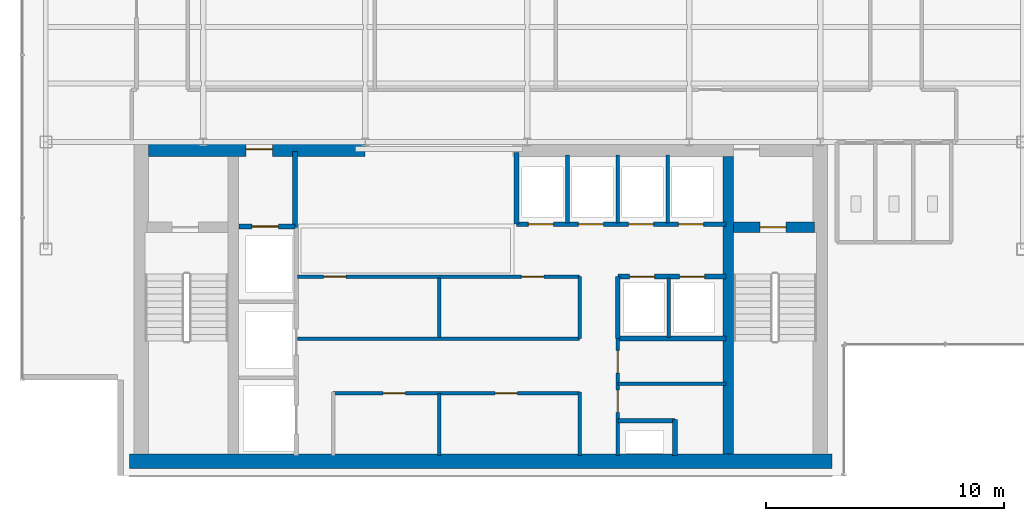
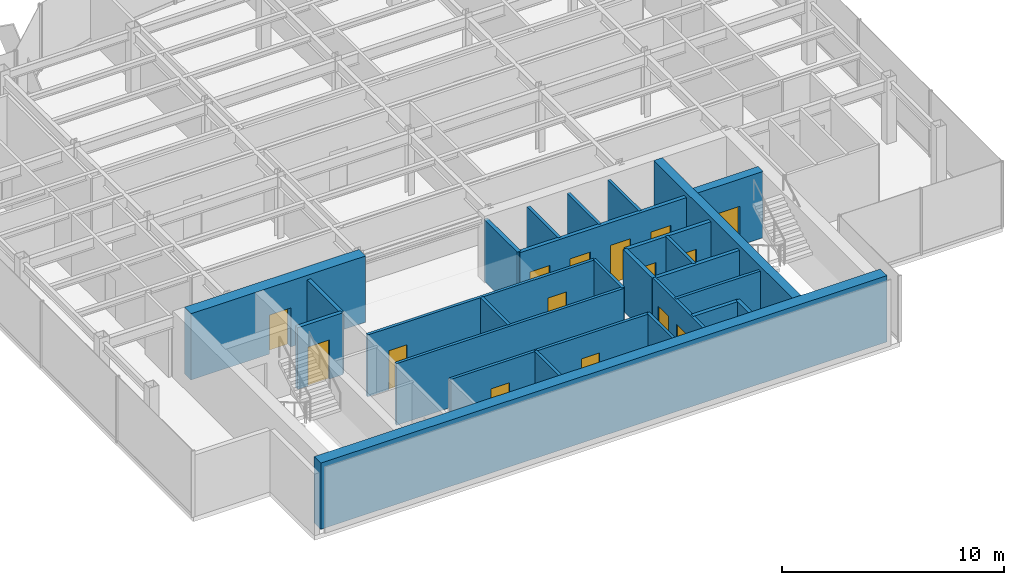
# One storey, part 17 of 22: 26 walls, 15 doors, 15 openings.
"""IFC4 building model written with IfcOpenShell, lengths in metres."""

from ifc_helpers import new_model, si_unit, derived_unit, direction, frame, frame_2d, origin, place, context, subcontext, project, spatial, rectangle, extrude, source, transform, mapped, material, layer, layer_set, type_object, element, fill, save


model = new_model("IFC4")

# Units and contexts
model_context = context("Model", 3, precision=1e-05, world=origin(), true_north=direction((0.0, 1.0)))
body_context = subcontext(model_context, "Body", "Model", "MODEL_VIEW")
ifc_project = project(units=[si_unit("LENGTHUNIT", "METRE"), si_unit("AREAUNIT", "SQUARE_METRE"), si_unit("VOLUMEUNIT", "CUBIC_METRE"), si_unit("PLANEANGLEUNIT", "RADIAN"), si_unit("MASSUNIT", "GRAM", prefix="KILO"), derived_unit("THERMALTRANSMITTANCEUNIT", [(si_unit("POWERUNIT", "WATT"), 1), (si_unit("LENGTHUNIT", "METRE"), -2), (si_unit("THERMODYNAMICTEMPERATUREUNIT", "KELVIN"), -1)])], contexts=[model_context])

# Site, building, storey
site_placement = place(None, origin())
site = spatial("IfcSite", under=ifc_project, at=site_placement, CompositionType="ELEMENT")
building_placement = place(site_placement, origin())
building = spatial("IfcBuilding", under=site, at=building_placement, Name="Skarnbrae Concourse Arena and Tower", CompositionType="ELEMENT")
storey_placement = place(building_placement, frame((0.0, 0.0, 251.5)))
storey = spatial("IfcBuildingStorey", under=building, at=storey_placement, Name="L65", CompositionType="ELEMENT", Elevation=251.5)

# Wall, opening, door
ifc_material_1 = material(Name="Concrete 50 MPa (C50/60)", Category="concrete")
ifc_layer_1 = layer(ifc_material_1, 0.449951171875)
ifc_layer_set_1 = layer_set([ifc_layer_1], Name="Concrete 50 MPa (C50/60)")
wall_type_1 = type_object("IfcWallType", Name="WALL-CORE-450-C50", PredefinedType="SHEAR", material=ifc_layer_set_1)
shared_shape_1 = source(origin(), body_context, "Body", "SweptSolid", [
    extrude(rectangle(XDim=3.389892578125, YDim=0.449951171875, at=frame_2d((1.69482421875, 0.0))), origin(), (0.0, 0.0, 1.0), 3.64990234375),
])
wall_1_placement = place(storey_placement, frame((29.860107421875, 10.419921875, 0.0), z_axis=(0.0, 0.0, 1.0), x_axis=(1.0, 0.0, 0.0)))
wall_1 = element("IfcWall", 1, at=wall_1_placement, inside=storey, type_object=wall_type_1, Name="L65 Rear core shear wall CW-ST2-N", PredefinedType="SHEAR", context=body_context, shape_type="MappedRepresentation", body=[
    mapped(shared_shape_1, transform((0.0, 0.0, 0.0))),
])
opening_1_placement = place(wall_1_placement, frame((1.10009765625, 0.0, 0.0)))
opening_1 = element("IfcOpeningElement", 2, at=opening_1_placement, cuts=wall_1, Name="Opening DT-03", PredefinedType="OPENING", context=body_context, shape_type="SweptSolid", body=[
    extrude(rectangle(XDim=1.10009765625, YDim=2.14990234375, at=frame_2d((0.550048828125, 1.074951171875))), frame((0.0, 0.23486328125, 0.0), z_axis=(0.0, -1.0, 0.0), x_axis=(1.0, 0.0, 0.0)), (0.0, 0.0, 1.0), 0.469970703125),
])
ifc_material_2 = material(Name="Steel CSA G40.21 350W", Category="steel")
door_type_1 = type_object("IfcDoorType", Name="DOOR-FIRE-1100-90M", OperationType="NOTDEFINED", PredefinedType="DOOR", material=ifc_material_2)
shared_shape_2 = source(origin(), body_context, "Body", "SweptSolid", [
    extrude(rectangle(XDim=1.10009765625, YDim=2.14990234375, at=frame_2d((0.550048828125, 1.074951171875))), frame((0.0, 0.02490234375, 0.0), z_axis=(0.0, -1.0, 0.0), x_axis=(1.0, 0.0, 0.0)), (0.0, 0.0, 1.0), 0.050048828125),
])
door_1_placement = place(opening_1_placement, frame((1.10009765625, 0.0, 0.0), z_axis=(0.0, 0.0, 1.0), x_axis=(-1.0, 0.0, 0.0)))
door_1 = element("IfcDoor", 3, at=door_1_placement, inside=storey, type_object=door_type_1, Name="D-1954 Stair ST-2 Door", OperationType="SINGLE_SWING_RIGHT", OverallHeight=2.14990234375, OverallWidth=1.10009765625, PredefinedType="DOOR", context=body_context, shape_type="MappedRepresentation", body=[
    mapped(shared_shape_2, transform((0.0, 0.0, 0.0))),
])
fill(opening_1, door_1)

# Wall
ifc_layer_2 = layer(ifc_material_1, 0.60009765625)
ifc_layer_set_2 = layer_set([ifc_layer_2], Name="Concrete 50 MPa (C50/60)")
wall_type_2 = type_object("IfcWallType", Name="WALL-CORE-600-C50", PredefinedType="SHEAR", material=ifc_layer_set_2)
shared_shape_3 = source(origin(), body_context, "Body", "SweptSolid", [
    extrude(rectangle(XDim=29.5, YDim=0.60009765625, at=frame_2d((14.75, 0.0))), origin(), (0.0, 0.0, 1.0), 3.64990234375),
])
wall_2_placement = place(storey_placement, frame((4.5, 0.60009765625, 0.0), z_axis=(0.0, 0.0, 1.0), x_axis=(1.0, 0.0, 0.0)))
element("IfcWall", 4, at=wall_2_placement, inside=storey, type_object=wall_type_2, Name="L65 Rear core shear wall CW-S", PredefinedType="SHEAR", context=body_context, shape_type="MappedRepresentation", body=[
    mapped(shared_shape_3, transform((0.0, 0.0, 0.0))),
])

# Wall, opening, door
shared_shape_4 = source(origin(), body_context, "Body", "SweptSolid", [
    extrude(rectangle(XDim=9.099853515625, YDim=0.60009765625, at=frame_2d((4.5498046875, 0.0))), origin(), (0.0, 0.0, 1.0), 3.64990234375),
])
wall_3_placement = place(storey_placement, frame((5.300048828125, 13.699951171875, 0.0), z_axis=(0.0, 0.0, 1.0), x_axis=(1.0, 0.0, 0.0)))
wall_3 = element("IfcWall", 5, at=wall_3_placement, inside=storey, type_object=wall_type_2, Name="L65 Rear core shear wall CW-NW", PredefinedType="SHEAR", context=body_context, shape_type="MappedRepresentation", body=[
    mapped(shared_shape_4, transform((0.0, 0.0, 0.0))),
])
opening_2_placement = place(wall_3_placement, frame((4.10009765625, 0.0, 0.0)))
opening_2 = element("IfcOpeningElement", 6, at=opening_2_placement, cuts=wall_3, Name="Opening DT-03", PredefinedType="OPENING", context=body_context, shape_type="SweptSolid", body=[
    extrude(rectangle(XDim=1.10009765625, YDim=2.14990234375, at=frame_2d((0.550048828125, 1.074951171875))), frame((0.0, 0.31005859375, 0.0), z_axis=(0.0, -1.0, 0.0), x_axis=(1.0, 0.0, 0.0)), (0.0, 0.0, 1.0), 0.6201171875),
])
door_2_placement = place(opening_2_placement, origin())
door_2 = element("IfcDoor", 7, at=door_2_placement, inside=storey, type_object=door_type_1, Name="D-1955 Firefighting Lobby Exit Door", OperationType="SINGLE_SWING_RIGHT", OverallHeight=2.14990234375, OverallWidth=1.10009765625, PredefinedType="DOOR", context=body_context, shape_type="MappedRepresentation", body=[
    mapped(shared_shape_2, transform((0.0, 0.0, 0.0))),
])
fill(opening_2, door_2)

# Walls
shared_shape_5 = source(origin(), body_context, "Body", "SweptSolid", [
    extrude(rectangle(XDim=12.5, YDim=0.449951171875, at=frame_2d((6.25, 0.0))), origin(), (0.0, 0.0, 1.0), 3.64990234375),
])
wall_4_placement = place(storey_placement, frame((29.635009765625, 0.89990234375, 0.0), z_axis=(0.0, 0.0, 1.0), x_axis=(0.0, 1.0, 0.0)))
element("IfcWall", 8, at=wall_4_placement, inside=storey, type_object=wall_type_1, Name="L65 Rear core shear wall CW-WEB-E", PredefinedType="SHEAR", context=body_context, shape_type="MappedRepresentation", body=[
    mapped(shared_shape_5, transform((0.0, 0.0, 0.0))),
])
ifc_material_3 = material(Name="Gypsum board on cold-formed steel studs", Category="steel")
ifc_layer_3 = layer(ifc_material_3, 0.199951171875)
ifc_layer_set_3 = layer_set([ifc_layer_3], Name="Gypsum board on cold-formed steel studs")
wall_type_3 = type_object("IfcWallType", Name="WALL-PART-200-2HR", PredefinedType="PARTITIONING", material=ifc_layer_set_3)
shared_shape_6 = source(origin(), body_context, "Body", "SweptSolid", [
    extrude(rectangle(XDim=3.18017578125, YDim=0.199951171875, at=frame_2d((1.590087890625, 0.0))), origin(), (0.0, 0.0, 1.0), 3.39990234375),
])
wall_5_placement = place(storey_placement, frame((11.449951171875, 10.419921875, 0.0), z_axis=(0.0, 0.0, 1.0), x_axis=(0.0, 1.0, 0.0)))
element("IfcWall", 9, at=wall_5_placement, inside=storey, type_object=wall_type_3, Name="L65 Interior partition wall W-L65-FFL-E", PredefinedType="PARTITIONING", context=body_context, shape_type="MappedRepresentation", body=[
    mapped(shared_shape_6, transform((0.0, 0.0, 0.0))),
])

# Wall, opening, door
shared_shape_7 = source(origin(), body_context, "Body", "SweptSolid", [
    extrude(rectangle(XDim=2.349853515625, YDim=0.199951171875, at=frame_2d((1.1748046875, 0.0))), origin(), (0.0, 0.0, 1.0), 3.39990234375),
])
wall_6_placement = place(storey_placement, frame((9.10009765625, 10.449951171875, 0.0), z_axis=(0.0, 0.0, 1.0), x_axis=(1.0, 0.0, 0.0)))
wall_6 = element("IfcWall", 10, at=wall_6_placement, inside=storey, type_object=wall_type_3, Name="L65 Interior partition wall W-L65-FL1-N", PredefinedType="PARTITIONING", context=body_context, shape_type="MappedRepresentation", body=[
    mapped(shared_shape_7, transform((0.0, 0.0, 0.0))),
])
opening_3_placement = place(wall_6_placement, frame((0.550048828125, 0.0, 0.0)))
opening_3 = element("IfcOpeningElement", 11, at=opening_3_placement, cuts=wall_6, Name="Opening LD-01", PredefinedType="OPENING", context=body_context, shape_type="SweptSolid", body=[
    extrude(rectangle(XDim=1.10009765625, YDim=2.14990234375, at=frame_2d((0.550048828125, 1.074951171875))), frame((0.0, 0.10986328125, 0.0), z_axis=(0.0, -1.0, 0.0), x_axis=(1.0, 0.0, 0.0)), (0.0, 0.0, 1.0), 0.219970703125),
])
door_type_2 = type_object("IfcDoorType", Name="DOOR-LIFT-SLIDE-1100", OperationType="SLIDING_TO_LEFT", PredefinedType="DOOR", material=ifc_material_2)
door_3_placement = place(opening_3_placement, origin())
door_3 = element("IfcDoor", 12, at=door_3_placement, inside=storey, type_object=door_type_2, Name="D-1957 Firefighting Lift Landing Door FL-01", OperationType="SLIDING_TO_LEFT", OverallHeight=2.14990234375, OverallWidth=1.10009765625, PredefinedType="DOOR", context=body_context, shape_type="MappedRepresentation", body=[
    mapped(shared_shape_2, transform((0.0, 0.0, 0.0))),
])
fill(opening_3, door_3)

# Walls
ifc_layer_4 = layer(ifc_material_3, 0.14990234375)
ifc_layer_set_4 = layer_set([ifc_layer_4], Name="Gypsum board on cold-formed steel studs")
wall_type_4 = type_object("IfcWallType", Name="WALL-PART-150", PredefinedType="PARTITIONING", material=ifc_layer_set_4)
shared_shape_8 = source(origin(), body_context, "Body", "SweptSolid", [
    extrude(rectangle(XDim=2.599853515625, YDim=0.14990234375, at=frame_2d((1.2998046875, 0.0))), origin(), (0.0, 0.0, 1.0), 3.39990234375),
])
wall_7_placement = place(storey_placement, frame((17.5, 0.85009765625, 0.0), z_axis=(0.0, 0.0, 1.0), x_axis=(0.0, 1.0, 0.0)))
element("IfcWall", 13, at=wall_7_placement, inside=storey, type_object=wall_type_4, Name="L65 Interior partition wall W-L65-B1M-C1", PredefinedType="PARTITIONING", context=body_context, shape_type="MappedRepresentation", body=[
    mapped(shared_shape_8, transform((0.0, 0.0, 0.0))),
])
shared_shape_9 = source(origin(), body_context, "Body", "SweptSolid", [
    extrude(rectangle(XDim=2.60009765625, YDim=0.199951171875, at=frame_2d((1.300048828125, 0.0))), origin(), (0.0, 0.0, 1.0), 3.39990234375),
])
wall_8_placement = place(storey_placement, frame((25.0, 5.75, 0.0), z_axis=(0.0, 0.0, 1.0), x_axis=(0.0, 1.0, 0.0)))
element("IfcWall", 14, at=wall_8_placement, inside=storey, type_object=wall_type_3, Name="L65 Interior partition wall W-L65-B3S-W", PredefinedType="PARTITIONING", context=body_context, shape_type="MappedRepresentation", body=[
    mapped(shared_shape_9, transform((0.0, 0.0, 0.0))),
])
shared_shape_10 = source(origin(), body_context, "Body", "SweptSolid", [
    extrude(rectangle(XDim=2.5, YDim=0.14990234375, at=frame_2d((1.25, 0.0))), origin(), (0.0, 0.0, 1.0), 3.39990234375),
])
for number, where, z_axis, x_axis, name in (
    (15, (17.5, 5.800048828125, 0.0), (0.0, 0.0, 1.0), (0.0, 1.0, 0.0), "L65 Interior partition wall W-L65-B2M-MID"),
    (16, (27.139892578125, 5.800048828125, 0.0), (0.0, 0.0, 1.0), (0.0, 1.0, 0.0), "L65 Interior partition wall W-L65-B3S-P1"),
):
    element("IfcWall", number, at=place(storey_placement, frame(where, z_axis=z_axis, x_axis=x_axis)), inside=storey, type_object=wall_type_4, Name=name, PredefinedType="PARTITIONING", context=body_context, shape_type="MappedRepresentation", body=[
        mapped(shared_shape_10, transform((0.0, 0.0, 0.0))),
    ])

# Wall, openings, doors
shared_shape_11 = source(origin(), body_context, "Body", "SweptSolid", [
    extrude(rectangle(XDim=8.800048828125, YDim=0.199951171875, at=frame_2d((4.39990234375, 0.0))), origin(), (0.0, 0.0, 1.0), 3.39990234375),
])
wall_9_placement = place(storey_placement, frame((20.75, 10.550048828125, 0.0), z_axis=(0.0, 0.0, 1.0), x_axis=(1.0, 0.0, 0.0)))
wall_9 = element("IfcWall", 17, at=wall_9_placement, inside=storey, type_object=wall_type_3, Name="L65 Interior partition wall W-L65-B3N-S", PredefinedType="PARTITIONING", context=body_context, shape_type="MappedRepresentation", body=[
    mapped(shared_shape_11, transform((0.0, 0.0, 0.0))),
])
opening_4_placement = place(wall_9_placement, frame((0.5, 0.0, 0.0)))
opening_4 = element("IfcOpeningElement", 18, at=opening_4_placement, cuts=wall_9, Name="Opening LD-04", PredefinedType="OPENING", context=body_context, shape_type="SweptSolid", body=[
    extrude(rectangle(XDim=1.050048828125, YDim=2.14990234375, at=frame_2d((0.52490234375, 1.074951171875))), frame((0.0, 0.10986328125, 0.0), z_axis=(0.0, -1.0, 0.0), x_axis=(1.0, 0.0, 0.0)), (0.0, 0.0, 1.0), 0.219970703125),
])
opening_5_placement = place(wall_9_placement, frame((2.60009765625, 0.0, 0.0)))
opening_5 = element("IfcOpeningElement", 19, at=opening_5_placement, cuts=wall_9, Name="Opening LD-04", PredefinedType="OPENING", context=body_context, shape_type="SweptSolid", body=[
    extrude(rectangle(XDim=1.050048828125, YDim=2.14990234375, at=frame_2d((0.52490234375, 1.074951171875))), frame((0.0, 0.10986328125, 0.0), z_axis=(0.0, -1.0, 0.0), x_axis=(1.0, 0.0, 0.0)), (0.0, 0.0, 1.0), 0.219970703125),
])
opening_6_placement = place(wall_9_placement, frame((4.699951171875, 0.0, 0.0)))
opening_6 = element("IfcOpeningElement", 20, at=opening_6_placement, cuts=wall_9, Name="Opening LD-04", PredefinedType="OPENING", context=body_context, shape_type="SweptSolid", body=[
    extrude(rectangle(XDim=1.050048828125, YDim=2.14990234375, at=frame_2d((0.52490234375, 1.074951171875))), frame((0.0, 0.10986328125, 0.0), z_axis=(0.0, -1.0, 0.0), x_axis=(1.0, 0.0, 0.0)), (0.0, 0.0, 1.0), 0.219970703125),
])
opening_7_placement = place(wall_9_placement, frame((6.800048828125, 0.0, 0.0)))
opening_7 = element("IfcOpeningElement", 21, at=opening_7_placement, cuts=wall_9, Name="Opening LD-04", PredefinedType="OPENING", context=body_context, shape_type="SweptSolid", body=[
    extrude(rectangle(XDim=1.050048828125, YDim=2.14990234375, at=frame_2d((0.52490234375, 1.074951171875))), frame((0.0, 0.10986328125, 0.0), z_axis=(0.0, -1.0, 0.0), x_axis=(1.0, 0.0, 0.0)), (0.0, 0.0, 1.0), 0.219970703125),
])
ifc_material_4 = material(Name="Bronze anodised aluminium 6063-T6", Category="aluminium")
door_type_3 = type_object("IfcDoorType", Name="DOOR-LIFT-SLIDE-1050H", OperationType="SLIDING_TO_LEFT", PredefinedType="DOOR", material=ifc_material_4)
shared_shape_12 = source(origin(), body_context, "Body", "SweptSolid", [
    extrude(rectangle(XDim=1.050048828125, YDim=2.14990234375, at=frame_2d((0.52490234375, 1.074951171875))), frame((0.0, 0.02490234375, 0.0), z_axis=(0.0, -1.0, 0.0), x_axis=(1.0, 0.0, 0.0)), (0.0, 0.0, 1.0), 0.050048828125),
])
door_4_placement = place(opening_4_placement, frame((1.050048828125, 0.0, 0.0), z_axis=(0.0, 0.0, 1.0), x_axis=(-1.0, 0.0, 0.0)))
door_4 = element("IfcDoor", 22, at=door_4_placement, inside=storey, type_object=door_type_3, Name="D-1964 Passenger Lift Landing Door PL-3A", OperationType="SLIDING_TO_LEFT", OverallHeight=2.14990234375, OverallWidth=1.050048828125, PredefinedType="DOOR", context=body_context, shape_type="MappedRepresentation", body=[
    mapped(shared_shape_12, transform((0.0, 0.0, 0.0))),
])
fill(opening_4, door_4)
door_5_placement = place(opening_5_placement, frame((1.050048828125, 0.0, 0.0), z_axis=(0.0, 0.0, 1.0), x_axis=(-1.0, 0.0, 0.0)))
door_5 = element("IfcDoor", 23, at=door_5_placement, inside=storey, type_object=door_type_3, Name="D-1965 Passenger Lift Landing Door PL-3B", OperationType="SLIDING_TO_LEFT", OverallHeight=2.14990234375, OverallWidth=1.050048828125, PredefinedType="DOOR", context=body_context, shape_type="MappedRepresentation", body=[
    mapped(shared_shape_12, transform((0.0, 0.0, 0.0))),
])
fill(opening_5, door_5)
door_6_placement = place(opening_6_placement, frame((1.050048828125, 0.0, 0.0), z_axis=(0.0, 0.0, 1.0), x_axis=(-1.0, 0.0, 0.0)))
door_6 = element("IfcDoor", 24, at=door_6_placement, inside=storey, type_object=door_type_3, Name="D-1966 Passenger Lift Landing Door PL-3C", OperationType="SLIDING_TO_LEFT", OverallHeight=2.14990234375, OverallWidth=1.050048828125, PredefinedType="DOOR", context=body_context, shape_type="MappedRepresentation", body=[
    mapped(shared_shape_12, transform((0.0, 0.0, 0.0))),
])
fill(opening_6, door_6)
door_7_placement = place(opening_7_placement, frame((1.050048828125, 0.0, 0.0), z_axis=(0.0, 0.0, 1.0), x_axis=(-1.0, 0.0, 0.0)))
door_7 = element("IfcDoor", 25, at=door_7_placement, inside=storey, type_object=door_type_3, Name="D-1967 Passenger Lift Landing Door PL-3D", OperationType="SLIDING_TO_LEFT", OverallHeight=2.14990234375, OverallWidth=1.050048828125, PredefinedType="DOOR", context=body_context, shape_type="MappedRepresentation", body=[
    mapped(shared_shape_12, transform((0.0, 0.0, 0.0))),
])
fill(opening_7, door_7)

# Walls
shared_shape_13 = source(origin(), body_context, "Body", "SweptSolid", [
    extrude(rectangle(XDim=3.0, YDim=0.199951171875, at=frame_2d((1.5, 0.0))), origin(), (0.0, 0.0, 1.0), 3.39990234375),
])
wall_10_placement = place(storey_placement, frame((20.75, 10.550048828125, 0.0), z_axis=(0.0, 0.0, 1.0), x_axis=(0.0, 1.0, 0.0)))
element("IfcWall", 26, at=wall_10_placement, inside=storey, type_object=wall_type_3, Name="L65 Interior partition wall W-L65-B3N-W", PredefinedType="PARTITIONING", context=body_context, shape_type="MappedRepresentation", body=[
    mapped(shared_shape_13, transform((0.0, 0.0, 0.0))),
])
shared_shape_14 = source(origin(), body_context, "Body", "SweptSolid", [
    extrude(rectangle(XDim=2.849853515625, YDim=0.14990234375, at=frame_2d((1.4248046875, 0.0))), origin(), (0.0, 0.0, 1.0), 3.39990234375),
])
for number, where, z_axis, x_axis, name in (
    (27, (22.889892578125, 10.60009765625, 0.0), (0.0, 0.0, 1.0), (0.0, 1.0, 0.0), "L65 Interior partition wall W-L65-B3N-P1"),
    (28, (24.989990234375, 10.60009765625, 0.0), (0.0, 0.0, 1.0), (0.0, 1.0, 0.0), "L65 Interior partition wall W-L65-B3N-P2"),
    (29, (27.090087890625, 10.60009765625, 0.0), (0.0, 0.0, 1.0), (0.0, 1.0, 0.0), "L65 Interior partition wall W-L65-B3N-P3"),
):
    element("IfcWall", number, at=place(storey_placement, frame(where, z_axis=z_axis, x_axis=x_axis)), inside=storey, type_object=wall_type_4, Name=name, PredefinedType="PARTITIONING", context=body_context, shape_type="MappedRepresentation", body=[
        mapped(shared_shape_14, transform((0.0, 0.0, 0.0))),
    ])

# Wall, openings, doors
shared_shape_15 = source(origin(), body_context, "Body", "SweptSolid", [
    extrude(rectangle(XDim=4.550048828125, YDim=0.199951171875, at=frame_2d((2.27490234375, 0.0))), origin(), (0.0, 0.0, 1.0), 3.39990234375),
])
wall_11_placement = place(storey_placement, frame((25.0, 8.35009765625, 0.0), z_axis=(0.0, 0.0, 1.0), x_axis=(1.0, 0.0, 0.0)))
wall_11 = element("IfcWall", 30, at=wall_11_placement, inside=storey, type_object=wall_type_3, Name="L65 Interior partition wall W-L65-B3S-N", PredefinedType="PARTITIONING", context=body_context, shape_type="MappedRepresentation", body=[
    mapped(shared_shape_15, transform((0.0, 0.0, 0.0))),
])
opening_8_placement = place(wall_11_placement, frame((0.5, 0.0, 0.0)))
opening_8 = element("IfcOpeningElement", 31, at=opening_8_placement, cuts=wall_11, Name="Opening LD-04", PredefinedType="OPENING", context=body_context, shape_type="SweptSolid", body=[
    extrude(rectangle(XDim=1.050048828125, YDim=2.14990234375, at=frame_2d((0.52490234375, 1.074951171875))), frame((0.0, 0.10986328125, 0.0), z_axis=(0.0, -1.0, 0.0), x_axis=(1.0, 0.0, 0.0)), (0.0, 0.0, 1.0), 0.219970703125),
])
opening_9_placement = place(wall_11_placement, frame((2.60009765625, 0.0, 0.0)))
opening_9 = element("IfcOpeningElement", 32, at=opening_9_placement, cuts=wall_11, Name="Opening LD-04", PredefinedType="OPENING", context=body_context, shape_type="SweptSolid", body=[
    extrude(rectangle(XDim=1.050048828125, YDim=2.14990234375, at=frame_2d((0.52490234375, 1.074951171875))), frame((0.0, 0.10986328125, 0.0), z_axis=(0.0, -1.0, 0.0), x_axis=(1.0, 0.0, 0.0)), (0.0, 0.0, 1.0), 0.219970703125),
])
door_8_placement = place(opening_8_placement, origin())
door_8 = element("IfcDoor", 33, at=door_8_placement, inside=storey, type_object=door_type_3, Name="D-1968 Passenger Lift Landing Door PL-3E", OperationType="SLIDING_TO_LEFT", OverallHeight=2.14990234375, OverallWidth=1.050048828125, PredefinedType="DOOR", context=body_context, shape_type="MappedRepresentation", body=[
    mapped(shared_shape_12, transform((0.0, 0.0, 0.0))),
])
fill(opening_8, door_8)
door_9_placement = place(opening_9_placement, origin())
door_9 = element("IfcDoor", 34, at=door_9_placement, inside=storey, type_object=door_type_3, Name="D-1969 Passenger Lift Landing Door PL-3F", OperationType="SLIDING_TO_LEFT", OverallHeight=2.14990234375, OverallWidth=1.050048828125, PredefinedType="DOOR", context=body_context, shape_type="MappedRepresentation", body=[
    mapped(shared_shape_12, transform((0.0, 0.0, 0.0))),
])
fill(opening_9, door_9)

# Wall
wall_12_placement = place(storey_placement, frame((25.0, 5.75, 0.0), z_axis=(0.0, 0.0, 1.0), x_axis=(1.0, 0.0, 0.0)))
element("IfcWall", 35, at=wall_12_placement, inside=storey, type_object=wall_type_3, Name="L65 Interior partition wall W-L65-B3S-S", PredefinedType="PARTITIONING", context=body_context, shape_type="MappedRepresentation", body=[
    mapped(shared_shape_15, transform((0.0, 0.0, 0.0))),
])

# Wall, openings, doors
ifc_layer_5 = layer(ifc_material_3, 0.14990234375)
ifc_layer_set_5 = layer_set([ifc_layer_5], Name="Gypsum board on cold-formed steel studs")
wall_type_5 = type_object("IfcWallType", Name="WALL-PART-150-1HR", PredefinedType="PARTITIONING", material=ifc_layer_set_5)
shared_shape_16 = source(origin(), body_context, "Body", "SweptSolid", [
    extrude(rectangle(XDim=4.89990234375, YDim=0.14990234375, at=frame_2d((2.449951171875, 0.0))), origin(), (0.0, 0.0, 1.0), 3.39990234375),
])
wall_13_placement = place(storey_placement, frame((25.0, 0.85009765625, 0.0), z_axis=(0.0, 0.0, 1.0), x_axis=(0.0, 1.0, 0.0)))
wall_13 = element("IfcWall", 36, at=wall_13_placement, inside=storey, type_object=wall_type_5, Name="L65 Interior partition wall W-L65-CSV-W", PredefinedType="PARTITIONING", context=body_context, shape_type="MappedRepresentation", body=[
    mapped(shared_shape_16, transform((0.0, 0.0, 0.0))),
])
opening_10_placement = place(wall_13_placement, frame((1.800048828125, 0.0, 0.0)))
opening_10 = element("IfcOpeningElement", 37, at=opening_10_placement, cuts=wall_13, Name="Opening DT-04", PredefinedType="OPENING", context=body_context, shape_type="SweptSolid", body=[
    extrude(rectangle(XDim=0.949951171875, YDim=2.14990234375, at=frame_2d((0.47509765625, 1.074951171875))), frame((0.0, 0.0849609375, 0.0), z_axis=(0.0, -1.0, 0.0), x_axis=(1.0, 0.0, 0.0)), (0.0, 0.0, 1.0), 0.169921875),
])
opening_11_placement = place(wall_13_placement, frame((3.449951171875, 0.0, 0.0)))
opening_11 = element("IfcOpeningElement", 38, at=opening_11_placement, cuts=wall_13, Name="Opening DT-04", PredefinedType="OPENING", context=body_context, shape_type="SweptSolid", body=[
    extrude(rectangle(XDim=0.949951171875, YDim=2.14990234375, at=frame_2d((0.47509765625, 1.074951171875))), frame((0.0, 0.0849609375, 0.0), z_axis=(0.0, -1.0, 0.0), x_axis=(1.0, 0.0, 0.0)), (0.0, 0.0, 1.0), 0.169921875),
])
door_type_4 = type_object("IfcDoorType", Name="DOOR-INT-950-45M", OperationType="NOTDEFINED", PredefinedType="DOOR", material=ifc_material_2)
shared_shape_17 = source(origin(), body_context, "Body", "SweptSolid", [
    extrude(rectangle(XDim=0.949951171875, YDim=2.14990234375, at=frame_2d((0.47509765625, 1.074951171875))), frame((0.0, 0.02490234375, 0.0), z_axis=(0.0, -1.0, 0.0), x_axis=(1.0, 0.0, 0.0)), (0.0, 0.0, 1.0), 0.050048828125),
])
door_10_placement = place(opening_10_placement, origin())
door_10 = element("IfcDoor", 39, at=door_10_placement, inside=storey, type_object=door_type_4, Name="D-1970 Electrical Switch Room Door", OperationType="SINGLE_SWING_LEFT", OverallHeight=2.14990234375, OverallWidth=0.949951171875, PredefinedType="DOOR", context=body_context, shape_type="MappedRepresentation", body=[
    mapped(shared_shape_17, transform((0.0, 0.0, 0.0))),
])
fill(opening_10, door_10)
door_11_placement = place(opening_11_placement, origin())
door_11 = element("IfcDoor", 40, at=door_11_placement, inside=storey, type_object=door_type_4, Name="D-1971 Cleaner Store Door", OperationType="SINGLE_SWING_RIGHT", OverallHeight=2.14990234375, OverallWidth=0.949951171875, PredefinedType="DOOR", context=body_context, shape_type="MappedRepresentation", body=[
    mapped(shared_shape_17, transform((0.0, 0.0, 0.0))),
])
fill(opening_11, door_11)

# Walls
shared_shape_18 = source(origin(), body_context, "Body", "SweptSolid", [
    extrude(rectangle(XDim=2.39990234375, YDim=0.199951171875, at=frame_2d((1.199951171875, 0.0))), origin(), (0.0, 0.0, 1.0), 3.39990234375),
])
wall_14_placement = place(storey_placement, frame((25.0, 2.300048828125, 0.0), z_axis=(0.0, 0.0, 1.0), x_axis=(1.0, 0.0, 0.0)))
element("IfcWall", 41, at=wall_14_placement, inside=storey, type_object=wall_type_3, Name="L65 Interior partition wall W-L65-MEP-N", PredefinedType="PARTITIONING", context=body_context, shape_type="MappedRepresentation", body=[
    mapped(shared_shape_18, transform((0.0, 0.0, 0.0))),
])
shared_shape_19 = source(origin(), body_context, "Body", "SweptSolid", [
    extrude(rectangle(XDim=1.5, YDim=0.199951171875, at=frame_2d((0.75, 0.0))), origin(), (0.0, 0.0, 1.0), 3.39990234375),
])
wall_15_placement = place(storey_placement, frame((27.39990234375, 0.85009765625, 0.0), z_axis=(0.0, 0.0, 1.0), x_axis=(0.0, 1.0, 0.0)))
element("IfcWall", 42, at=wall_15_placement, inside=storey, type_object=wall_type_3, Name="L65 Interior partition wall W-L65-MEP-E", PredefinedType="PARTITIONING", context=body_context, shape_type="MappedRepresentation", body=[
    mapped(shared_shape_19, transform((0.0, 0.0, 0.0))),
])
shared_shape_20 = source(origin(), body_context, "Body", "SweptSolid", [
    extrude(rectangle(XDim=4.550048828125, YDim=0.14990234375, at=frame_2d((2.27490234375, 0.0))), origin(), (0.0, 0.0, 1.0), 3.39990234375),
])
wall_16_placement = place(storey_placement, frame((25.0, 3.85009765625, 0.0), z_axis=(0.0, 0.0, 1.0), x_axis=(1.0, 0.0, 0.0)))
element("IfcWall", 43, at=wall_16_placement, inside=storey, type_object=wall_type_4, Name="L65 Interior partition wall W-L65-CSV-H", PredefinedType="PARTITIONING", context=body_context, shape_type="MappedRepresentation", body=[
    mapped(shared_shape_20, transform((0.0, 0.0, 0.0))),
])
shared_shape_21 = source(origin(), body_context, "Body", "SweptSolid", [
    extrude(rectangle(XDim=2.64990234375, YDim=0.14990234375, at=frame_2d((1.324951171875, 0.0))), origin(), (0.0, 0.0, 1.0), 3.39990234375),
])
wall_17_placement = place(storey_placement, frame((23.39990234375, 0.85009765625, 0.0), z_axis=(0.0, 0.0, 1.0), x_axis=(0.0, 1.0, 0.0)))
element("IfcWall", 44, at=wall_17_placement, inside=storey, type_object=wall_type_5, Name="L65 Interior partition wall W-L65-B1M-E", PredefinedType="PARTITIONING", context=body_context, shape_type="MappedRepresentation", body=[
    mapped(shared_shape_21, transform((0.0, 0.0, 0.0))),
])

# Wall, openings, doors
shared_shape_22 = source(origin(), body_context, "Body", "SweptSolid", [
    extrude(rectangle(XDim=10.349853515625, YDim=0.14990234375, at=frame_2d((5.1748046875, 0.0))), origin(), (0.0, 0.0, 1.0), 3.39990234375),
])
wall_18_placement = place(storey_placement, frame((13.050048828125, 3.449951171875, 0.0), z_axis=(0.0, 0.0, 1.0), x_axis=(1.0, 0.0, 0.0)))
wall_18 = element("IfcWall", 45, at=wall_18_placement, inside=storey, type_object=wall_type_5, Name="L65 Interior partition wall W-L65-B1M-N", PredefinedType="PARTITIONING", context=body_context, shape_type="MappedRepresentation", body=[
    mapped(shared_shape_22, transform((0.0, 0.0, 0.0))),
])
opening_12_placement = place(wall_18_placement, frame((2.10009765625, 0.0, 0.0)))
opening_12 = element("IfcOpeningElement", 46, at=opening_12_placement, cuts=wall_18, Name="Opening DT-04", PredefinedType="OPENING", context=body_context, shape_type="SweptSolid", body=[
    extrude(rectangle(XDim=0.949951171875, YDim=2.14990234375, at=frame_2d((0.47509765625, 1.074951171875))), frame((0.0, 0.0849609375, 0.0), z_axis=(0.0, -1.0, 0.0), x_axis=(1.0, 0.0, 0.0)), (0.0, 0.0, 1.0), 0.169921875),
])
opening_13_placement = place(wall_18_placement, frame((6.800048828125, 0.0, 0.0)))
opening_13 = element("IfcOpeningElement", 47, at=opening_13_placement, cuts=wall_18, Name="Opening DT-04", PredefinedType="OPENING", context=body_context, shape_type="SweptSolid", body=[
    extrude(rectangle(XDim=0.949951171875, YDim=2.14990234375, at=frame_2d((0.47509765625, 1.074951171875))), frame((0.0, 0.0849609375, 0.0), z_axis=(0.0, -1.0, 0.0), x_axis=(1.0, 0.0, 0.0)), (0.0, 0.0, 1.0), 0.169921875),
])
door_12_placement = place(opening_12_placement, origin())
door_12 = element("IfcDoor", 48, at=door_12_placement, inside=storey, type_object=door_type_4, Name="D-1960 Core IT Room Door", OperationType="SINGLE_SWING_LEFT", OverallHeight=2.14990234375, OverallWidth=0.949951171875, PredefinedType="DOOR", context=body_context, shape_type="MappedRepresentation", body=[
    mapped(shared_shape_17, transform((0.0, 0.0, 0.0))),
])
fill(opening_12, door_12)
door_13_placement = place(opening_13_placement, origin())
door_13 = element("IfcDoor", 49, at=door_13_placement, inside=storey, type_object=door_type_4, Name="D-1961 Core Records Store Door", OperationType="SINGLE_SWING_RIGHT", OverallHeight=2.14990234375, OverallWidth=0.949951171875, PredefinedType="DOOR", context=body_context, shape_type="MappedRepresentation", body=[
    mapped(shared_shape_17, transform((0.0, 0.0, 0.0))),
])
fill(opening_13, door_13)

# Wall
shared_shape_23 = source(origin(), body_context, "Body", "SweptSolid", [
    extrude(rectangle(XDim=11.849853515625, YDim=0.14990234375, at=frame_2d((5.9248046875, 0.0))), origin(), (0.0, 0.0, 1.0), 3.39990234375),
])
wall_19_placement = place(storey_placement, frame((11.550048828125, 5.75, 0.0), z_axis=(0.0, 0.0, 1.0), x_axis=(1.0, 0.0, 0.0)))
element("IfcWall", 50, at=wall_19_placement, inside=storey, type_object=wall_type_5, Name="L65 Interior partition wall W-L65-B2M-S", PredefinedType="PARTITIONING", context=body_context, shape_type="MappedRepresentation", body=[
    mapped(shared_shape_23, transform((0.0, 0.0, 0.0))),
])

# Wall, openings, doors
wall_20_placement = place(storey_placement, frame((11.550048828125, 8.35009765625, 0.0), z_axis=(0.0, 0.0, 1.0), x_axis=(1.0, 0.0, 0.0)))
wall_20 = element("IfcWall", 51, at=wall_20_placement, inside=storey, type_object=wall_type_5, Name="L65 Interior partition wall W-L65-B2M-N", PredefinedType="PARTITIONING", context=body_context, shape_type="MappedRepresentation", body=[
    mapped(shared_shape_23, transform((0.0, 0.0, 0.0))),
])
opening_14_placement = place(wall_20_placement, frame((1.10009765625, 0.0, 0.0)))
opening_14 = element("IfcOpeningElement", 52, at=opening_14_placement, cuts=wall_20, Name="Opening DT-04", PredefinedType="OPENING", context=body_context, shape_type="SweptSolid", body=[
    extrude(rectangle(XDim=0.949951171875, YDim=2.14990234375, at=frame_2d((0.47509765625, 1.074951171875))), frame((0.0, 0.0849609375, 0.0), z_axis=(0.0, -1.0, 0.0), x_axis=(1.0, 0.0, 0.0)), (0.0, 0.0, 1.0), 0.169921875),
])
opening_15_placement = place(wall_20_placement, frame((9.39990234375, 0.0, 0.0)))
opening_15 = element("IfcOpeningElement", 53, at=opening_15_placement, cuts=wall_20, Name="Opening DT-04", PredefinedType="OPENING", context=body_context, shape_type="SweptSolid", body=[
    extrude(rectangle(XDim=0.949951171875, YDim=2.14990234375, at=frame_2d((0.47509765625, 1.074951171875))), frame((0.0, 0.0849609375, 0.0), z_axis=(0.0, -1.0, 0.0), x_axis=(1.0, 0.0, 0.0)), (0.0, 0.0, 1.0), 0.169921875),
])
door_14_placement = place(opening_14_placement, origin())
door_14 = element("IfcDoor", 54, at=door_14_placement, inside=storey, type_object=door_type_4, Name="D-1962 High-Zone Data Door", OperationType="SINGLE_SWING_RIGHT", OverallHeight=2.14990234375, OverallWidth=0.949951171875, PredefinedType="DOOR", context=body_context, shape_type="MappedRepresentation", body=[
    mapped(shared_shape_17, transform((0.0, 0.0, 0.0))),
])
fill(opening_14, door_14)
door_15_placement = place(opening_15_placement, origin())
door_15 = element("IfcDoor", 55, at=door_15_placement, inside=storey, type_object=door_type_4, Name="D-1963 Reprographics Door", OperationType="SINGLE_SWING_LEFT", OverallHeight=2.14990234375, OverallWidth=0.949951171875, PredefinedType="DOOR", context=body_context, shape_type="MappedRepresentation", body=[
    mapped(shared_shape_17, transform((0.0, 0.0, 0.0))),
])
fill(opening_15, door_15)

# Wall
shared_shape_24 = source(origin(), body_context, "Body", "SweptSolid", [
    extrude(rectangle(XDim=2.60009765625, YDim=0.14990234375, at=frame_2d((1.300048828125, 0.0))), origin(), (0.0, 0.0, 1.0), 3.39990234375),
])
wall_21_placement = place(storey_placement, frame((23.39990234375, 5.75, 0.0), z_axis=(0.0, 0.0, 1.0), x_axis=(0.0, 1.0, 0.0)))
element("IfcWall", 56, at=wall_21_placement, inside=storey, type_object=wall_type_5, Name="L65 Interior partition wall W-L65-B2M-E", PredefinedType="PARTITIONING", context=body_context, shape_type="MappedRepresentation", body=[
    mapped(shared_shape_24, transform((0.0, 0.0, 0.0))),
])

save(model, "model.ifc")
